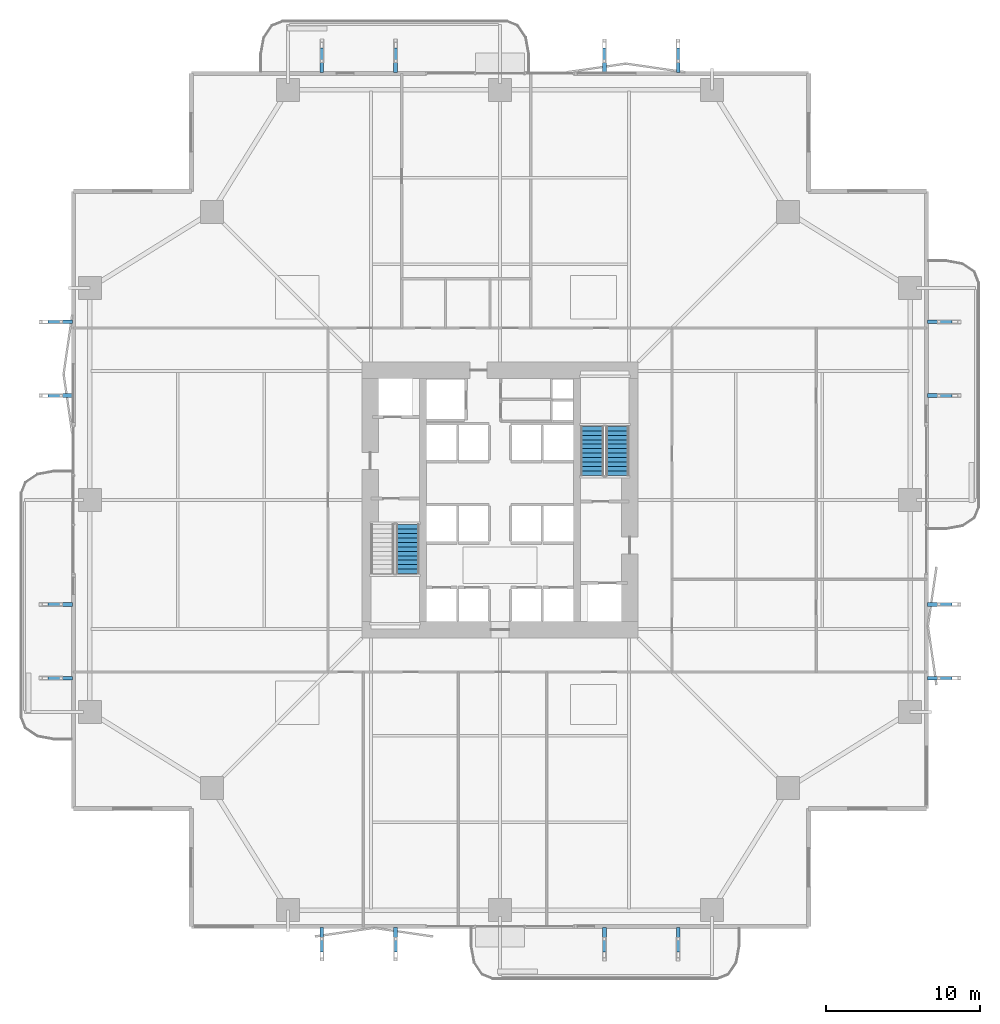
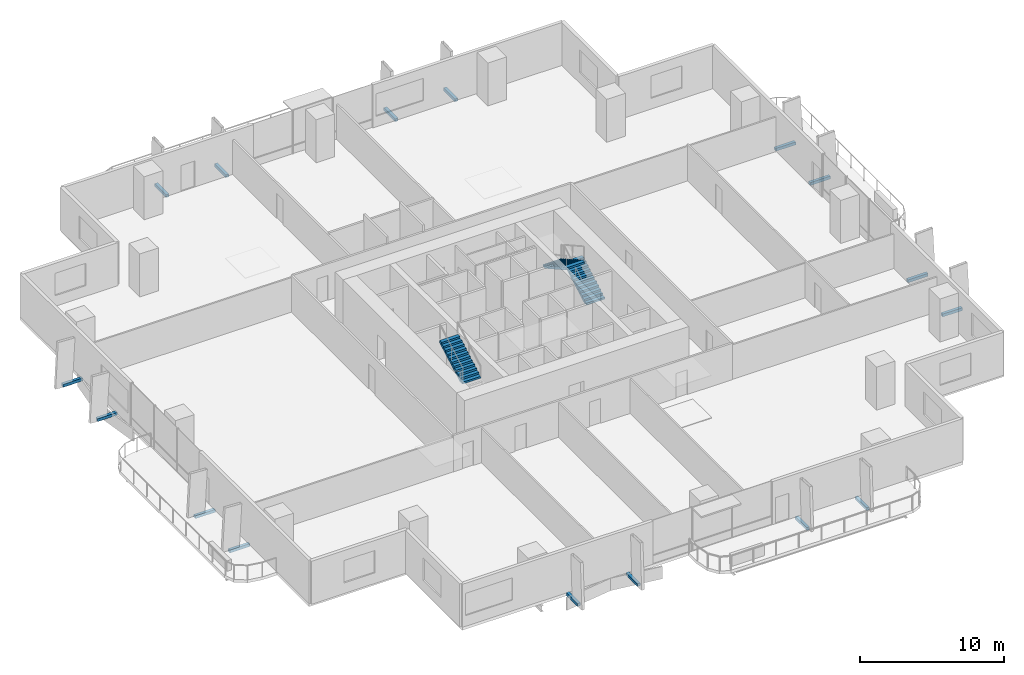
# One storey, part 20 of 24: 16 discrete accessories, 3 stair flights, 2 elements without a shape of their own.
"""IFC4 building model written with IfcOpenShell, lengths in metres."""

from ifc_helpers import new_model, si_unit, direction, frame, origin, origin_2d, place, context, subcontext, project, spatial, polyline, rectangle, outline, extrude, material, layer, layer_set, type_object, element, aggregate, save


model = new_model("IFC4")

# Units and contexts
model_context = context("Model", 3, precision=1e-05, world=origin(), true_north=direction((0.0, 1.0)))
body_context = subcontext(model_context, "Body", "Model", "MODEL_VIEW")
ifc_project = project(units=[si_unit("LENGTHUNIT", "METRE"), si_unit("AREAUNIT", "SQUARE_METRE"), si_unit("VOLUMEUNIT", "CUBIC_METRE"), si_unit("PLANEANGLEUNIT", "RADIAN"), si_unit("MASSUNIT", "GRAM", prefix="KILO")], contexts=[model_context])

# Site, building, storey
site_placement = place(None, origin())
site = spatial("IfcSite", under=ifc_project, at=site_placement, CompositionType="ELEMENT")
building_placement = place(site_placement, origin())
building = spatial("IfcBuilding", under=site, at=building_placement, Name="Belovzor Exchange Tower", CompositionType="ELEMENT")
storey_placement = place(building_placement, frame((0.0, 0.0, 69.0)))
storey = spatial("IfcBuildingStorey", under=building, at=storey_placement, Name="L16", CompositionType="ELEMENT", Elevation=69.0)

# Stair, stair flight
ifc_material_1 = material(Name="Concrete C40/50", Category="concrete")
stair_type = type_object("IfcStairType", Name="Reinforced Concrete Dogleg Escape Stair 1350", PredefinedType="HALF_TURN_STAIR", material=ifc_material_1)
stair_1_placement = place(storey_placement, origin())
stair_1 = element("IfcStair", 1, at=stair_1_placement, inside=storey, type_object=stair_type, Name="L16 ST-1", PredefinedType="HALF_TURN_STAIR")
ifc_material_2 = material(Name="Concrete C40/50", Category="concrete")
stair_flight_type = type_object("IfcStairFlightType", Name="Reinforced Concrete Stair Flight 1350", PredefinedType="STRAIGHT", material=ifc_material_2)
stair_flight_1_placement = place(storey_placement, frame((22.800048828125, 24.010009765625, 1.949951171875), z_axis=(0.0, 0.0, 1.0), x_axis=(0.0, 1.0, 0.0)))
stair_flight_1 = element("IfcStairFlight", 2, at=stair_flight_1_placement, type_object=stair_flight_type, Name="ST-1 flight 2", NumberOfRisers=12, NumberOfTreads=11, PredefinedType="STRAIGHT", RiserHeight=0.1625, TreadLength=0.29, context=body_context, shape_type="SweptSolid", body=[
    extrude(outline(polyline([(0.0, 0.0), (0.0, 0.16259765625), (0.2900390625, 0.16259765625), (0.2900390625, 0.324951171875), (0.580078125, 0.324951171875), (0.580078125, 0.487548828125), (0.8701171875, 0.487548828125), (0.8701171875, 0.64990234375), (1.159912109375, 0.64990234375), (1.159912109375, 0.8125), (1.449951171875, 0.8125), (1.449951171875, 0.97509765625), (1.739990234375, 0.97509765625), (1.739990234375, 1.137451171875), (2.030029296875, 1.137451171875), (2.030029296875, 1.300048828125), (2.320068359375, 1.300048828125), (2.320068359375, 1.46240234375), (2.610107421875, 1.46240234375), (2.610107421875, 1.625), (2.89990234375, 1.625), (2.89990234375, 1.78759765625), (3.18994140625, 1.78759765625), (3.18994140625, 1.949951171875), (3.18994140625, 1.61572265625), (0.306640625, 0.0), (0.0, 0.0)])), frame((0.0, 0.75, 0.0), z_axis=(0.0, -1.0, 0.0), x_axis=(1.0, 0.0, 0.0)), (0.0, 0.0, 1.0), 1.5),
])
aggregate(stair_1, [stair_flight_1])

# Stair, stair flights
stair_2_placement = place(storey_placement, origin())
stair_2 = element("IfcStair", 3, at=stair_2_placement, inside=storey, type_object=stair_type, Name="L16 ST-2", PredefinedType="HALF_TURN_STAIR")
stair_flight_2_placement = place(storey_placement, frame((36.449951171875, 30.39990234375, 0.0), z_axis=(0.0, 0.0, 1.0), x_axis=(0.0, 1.0, 0.0)))
stair_flight_2 = element("IfcStairFlight", 4, at=stair_flight_2_placement, type_object=stair_flight_type, Name="ST-2 flight 1", NumberOfRisers=12, NumberOfTreads=11, PredefinedType="STRAIGHT", RiserHeight=0.1625, TreadLength=0.29, context=body_context, shape_type="SweptSolid", body=[
    extrude(outline(polyline([(0.0, 0.0), (0.0, 0.16259765625), (0.2900390625, 0.16259765625), (0.2900390625, 0.324951171875), (0.580078125, 0.324951171875), (0.580078125, 0.487548828125), (0.8701171875, 0.487548828125), (0.8701171875, 0.64990234375), (1.159912109375, 0.64990234375), (1.159912109375, 0.8125), (1.449951171875, 0.8125), (1.449951171875, 0.97509765625), (1.739990234375, 0.97509765625), (1.739990234375, 1.137451171875), (2.030029296875, 1.137451171875), (2.030029296875, 1.300048828125), (2.320068359375, 1.300048828125), (2.320068359375, 1.46240234375), (2.610107421875, 1.46240234375), (2.610107421875, 1.625), (2.89990234375, 1.625), (2.89990234375, 1.78759765625), (3.18994140625, 1.78759765625), (3.18994140625, 1.949951171875), (3.18994140625, 1.61572265625), (0.306640625, 0.0), (0.0, 0.0)])), frame((0.0, 0.75, 0.0), z_axis=(0.0, -1.0, 0.0), x_axis=(1.0, 0.0, 0.0)), (0.0, 0.0, 1.0), 1.5),
])
stair_flight_3_placement = place(storey_placement, frame((34.800048828125, 33.590087890625, 1.949951171875), z_axis=(0.0, 0.0, 1.0), x_axis=(0.0, -1.0, 0.0)))
stair_flight_3 = element("IfcStairFlight", 5, at=stair_flight_3_placement, type_object=stair_flight_type, Name="ST-2 flight 2", NumberOfRisers=12, NumberOfTreads=11, PredefinedType="STRAIGHT", RiserHeight=0.1625, TreadLength=0.29, context=body_context, shape_type="SweptSolid", body=[
    extrude(outline(polyline([(0.0, 0.0), (0.0, 0.16259765625), (0.2900390625, 0.16259765625), (0.2900390625, 0.324951171875), (0.580078125, 0.324951171875), (0.580078125, 0.487548828125), (0.8701171875, 0.487548828125), (0.8701171875, 0.64990234375), (1.159912109375, 0.64990234375), (1.159912109375, 0.8125), (1.449951171875, 0.8125), (1.449951171875, 0.97509765625), (1.739990234375, 0.97509765625), (1.739990234375, 1.137451171875), (2.030029296875, 1.137451171875), (2.030029296875, 1.300048828125), (2.320068359375, 1.300048828125), (2.320068359375, 1.46240234375), (2.610107421875, 1.46240234375), (2.610107421875, 1.625), (2.89990234375, 1.625), (2.89990234375, 1.78759765625), (3.18994140625, 1.78759765625), (3.18994140625, 1.949951171875), (3.18994140625, 1.61572265625), (0.306640625, 0.0), (0.0, 0.0)])), frame((0.0, 0.75, 0.0), z_axis=(0.0, -1.0, 0.0), x_axis=(1.0, 0.0, 0.0)), (0.0, 0.0, 1.0), 1.5),
])
aggregate(stair_2, [stair_flight_2, stair_flight_3])

# Discrete accessories
ifc_material_3 = material(Name="Stainless Steel Grade 316", Category="steel")
ifc_layer = layer(ifc_material_3, 0.179931640625)
ifc_layer_set = layer_set([ifc_layer], Name="Stainless Steel Grade 316")
discrete_accessory_type = type_object("IfcDiscreteAccessoryType", Name="Stainless Steel Facade Outrigger Fixing Bracket", PredefinedType="BRACKET", material=ifc_layer_set)
for number, where, z_axis, x_axis, name in (
    (6, (17.199951171875, 0.18408203125, -0.2451171875), (0.0, 0.0, 1.0), (0.0, 1.0, 0.0), "BRK-FIN1 Sweeping Fin Outrigger Bracket L16 S1"),
    (7, (17.199951171875, 57.416015625, -0.2451171875), (0.0, 0.0, 1.0), (0.0, 1.0, 0.0), "BRK-FIN1 Sweeping Fin Outrigger Bracket L16 N1"),
    (8, (0.18408203125, 17.199951171875, -0.2451171875), (0.0, 0.0, 1.0), (1.0, 0.0, 0.0), "BRK-FIN1 Sweeping Fin Outrigger Bracket L16 W1"),
    (9, (57.416015625, 17.199951171875, -0.2451171875), (0.0, 0.0, 1.0), (1.0, 0.0, 0.0), "BRK-FIN1 Sweeping Fin Outrigger Bracket L16 E1"),
    (10, (22.0, 0.18408203125, -0.2451171875), (0.0, 0.0, 1.0), (0.0, 1.0, 0.0), "BRK-FIN1 Sweeping Fin Outrigger Bracket L16 S2"),
    (11, (22.0, 57.416015625, -0.2451171875), (0.0, 0.0, 1.0), (0.0, 1.0, 0.0), "BRK-FIN1 Sweeping Fin Outrigger Bracket L16 N2"),
    (12, (0.18408203125, 22.0, -0.2451171875), (0.0, 0.0, 1.0), (1.0, 0.0, 0.0), "BRK-FIN1 Sweeping Fin Outrigger Bracket L16 W2"),
    (13, (57.416015625, 22.0, -0.2451171875), (0.0, 0.0, 1.0), (1.0, 0.0, 0.0), "BRK-FIN1 Sweeping Fin Outrigger Bracket L16 E2"),
    (14, (35.60009765625, 0.18408203125, -0.2451171875), (0.0, 0.0, 1.0), (0.0, 1.0, 0.0), "BRK-FIN1 Sweeping Fin Outrigger Bracket L16 S3"),
    (15, (35.60009765625, 57.416015625, -0.2451171875), (0.0, 0.0, 1.0), (0.0, 1.0, 0.0), "BRK-FIN1 Sweeping Fin Outrigger Bracket L16 N3"),
    (16, (0.18408203125, 35.60009765625, -0.2451171875), (0.0, 0.0, 1.0), (1.0, 0.0, 0.0), "BRK-FIN1 Sweeping Fin Outrigger Bracket L16 W3"),
    (17, (57.416015625, 35.60009765625, -0.2451171875), (0.0, 0.0, 1.0), (1.0, 0.0, 0.0), "BRK-FIN1 Sweeping Fin Outrigger Bracket L16 E3"),
    (18, (40.39990234375, 0.18408203125, -0.2451171875), (0.0, 0.0, 1.0), (0.0, 1.0, 0.0), "BRK-FIN1 Sweeping Fin Outrigger Bracket L16 S4"),
    (19, (40.39990234375, 57.416015625, -0.2451171875), (0.0, 0.0, 1.0), (0.0, 1.0, 0.0), "BRK-FIN1 Sweeping Fin Outrigger Bracket L16 N4"),
    (20, (0.18408203125, 40.39990234375, -0.2451171875), (0.0, 0.0, 1.0), (1.0, 0.0, 0.0), "BRK-FIN1 Sweeping Fin Outrigger Bracket L16 W4"),
    (21, (57.416015625, 40.39990234375, -0.2451171875), (0.0, 0.0, 1.0), (1.0, 0.0, 0.0), "BRK-FIN1 Sweeping Fin Outrigger Bracket L16 E4"),
):
    element("IfcDiscreteAccessory", number, at=place(storey_placement, frame(where, z_axis=z_axis, x_axis=x_axis)), inside=storey, type_object=discrete_accessory_type, Name=name, PredefinedType="BRACKET", context=body_context, shape_type="SweptSolid", body=[
        extrude(rectangle(XDim=1.592041015625, YDim=0.239990234375, at=origin_2d()), origin(), (0.0, 0.0, 1.0), 0.239990234375),
    ])

save(model, "model.ifc")
